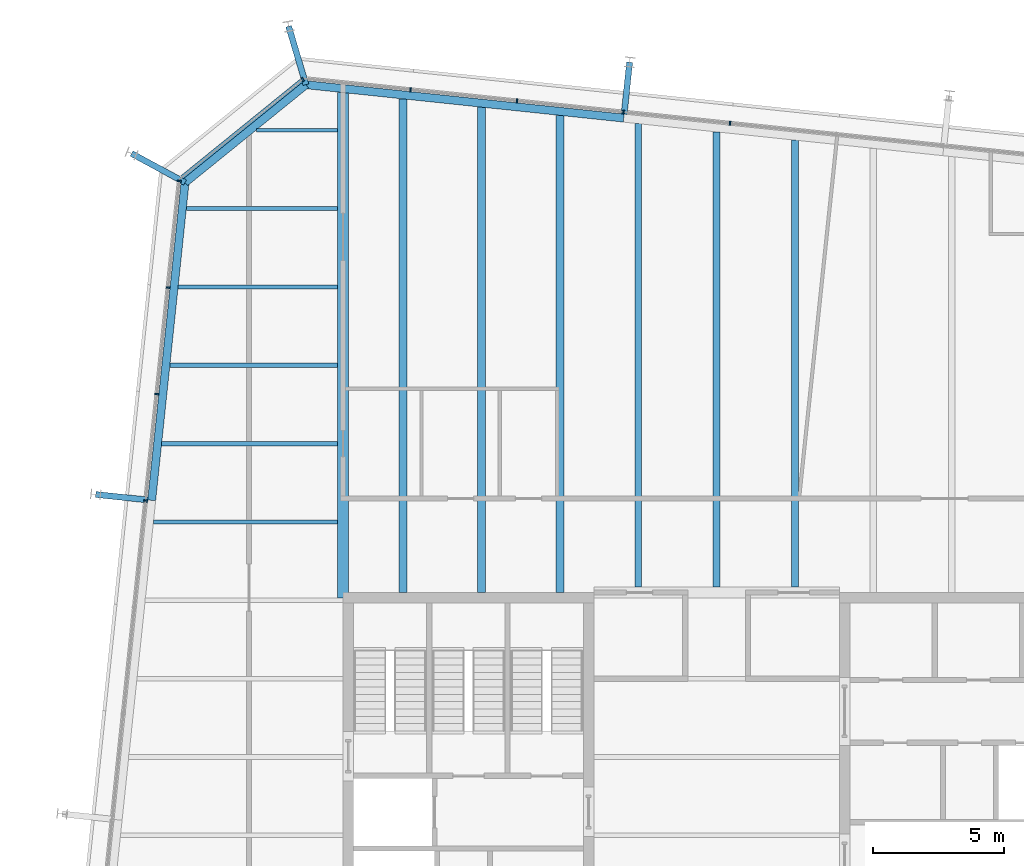
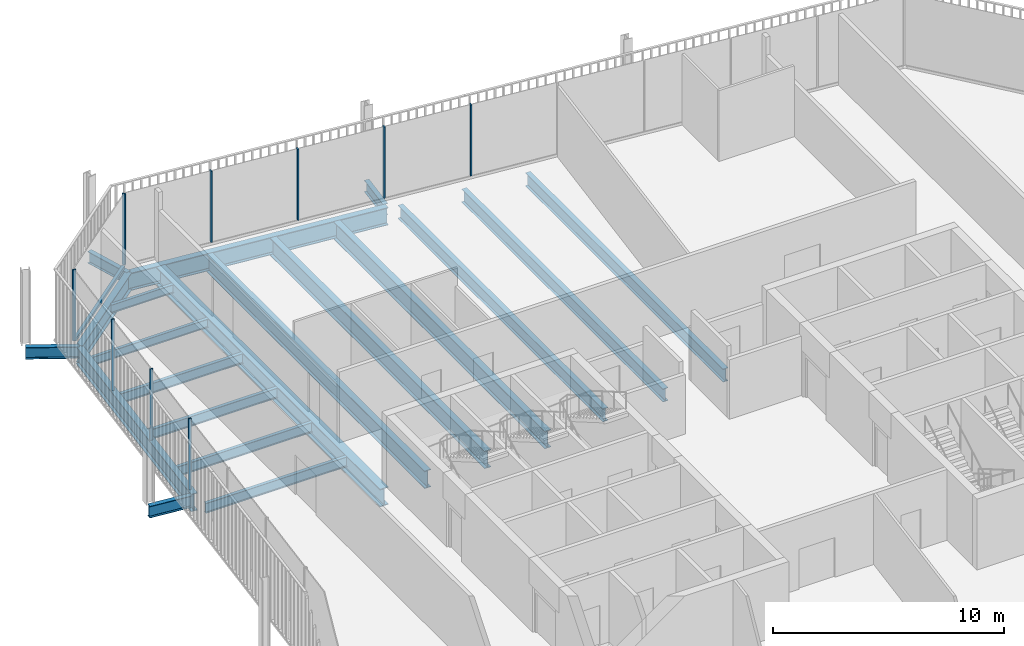
# One storey, part 12 of 20: 20 beams, 10 members, 3 elements without a shape of their own.
"""IFC4 building model written with IfcOpenShell, lengths in metres."""

from ifc_helpers import new_model, si_unit, direction, frame, origin, origin_2d, place, context, subcontext, project, spatial, rectangle, i_section, extrude, material, layer, layer_set, material_profile, profile_set, type_object, element, aggregate, save


model = new_model("IFC4")

# Units and contexts
model_context = context("Model", 3, precision=1e-05, world=origin(), true_north=direction((0.0, 1.0)))
body_context = subcontext(model_context, "Body", "Model", "MODEL_VIEW")
ifc_project = project(units=[si_unit("LENGTHUNIT", "METRE"), si_unit("AREAUNIT", "SQUARE_METRE"), si_unit("VOLUMEUNIT", "CUBIC_METRE"), si_unit("PLANEANGLEUNIT", "RADIAN"), si_unit("MASSUNIT", "GRAM", prefix="KILO")], contexts=[model_context])

# Site, building, storey
site_placement = place(None, origin())
site = spatial("IfcSite", under=ifc_project, at=site_placement, CompositionType="ELEMENT")
building_placement = place(site_placement, origin())
building = spatial("IfcBuilding", under=site, at=building_placement, Name="Millrace Tower", CompositionType="ELEMENT")
storey_placement = place(building_placement, frame((0.0, 0.0, 287.699951171875)))
storey = spatial("IfcBuildingStorey", under=building, at=storey_placement, Name="L66", CompositionType="ELEMENT", Elevation=287.699951171875)

# Curtain wall, members
ifc_material_1 = material(Name="Aluminium and glass", Category="aluminium")
ifc_layer = layer(ifc_material_1, 0.14990234375)
ifc_layer_set = layer_set([ifc_layer], Name="Aluminium and glass")
curtain_wall_type = type_object("IfcCurtainWallType", Name="CW-1 office vision curtain wall", PredefinedType="NOTDEFINED", material=ifc_layer_set)
placement = place(storey_placement, origin())
curtain_wall_1 = element("IfcCurtainWall", 1, at=placement, inside=storey, type_object=curtain_wall_type, Name="Curtain wall E-F06 L66", PredefinedType="NOTDEFINED")
ifc_material_2 = material(Name="Aluminium", Category="aluminium")
ifc_material_profile_1 = material_profile(ifc_material_2, rectangle(XDim=0.06494140625, YDim=0.14990234375, at=origin_2d()))
ifc_profile_set_1 = profile_set([ifc_material_profile_1], Name="Aluminium")
member_type_1 = type_object("IfcMemberType", Name="CW-1 office vision curtain wall mullion", PredefinedType="MULLION", material=ifc_profile_set_1)
member_1_placement = place(storey_placement, frame((0.514892578125, 27.267578125, 0.14013671875), z_axis=(0.0, 0.0, 1.0), x_axis=(-0.994521896217, 0.104528455196, 0.0)))
member_1 = element("IfcMember", 2, at=member_1_placement, type_object=member_type_1, Name="CW1 mullion E-F06.6", PredefinedType="MULLION", context=body_context, shape_type="SweptSolid", body=[
    extrude(rectangle(XDim=0.06494140625, YDim=0.14990234375, at=origin_2d()), origin(), (0.0, 0.0, 1.0), 3.760009765625),
])
member_2_placement = place(storey_placement, frame((-3.562744140625, 27.6962890625, 0.14013671875), z_axis=(0.0, 0.0, 1.0), x_axis=(-0.994521896217, 0.104528455196, 0.0)))
member_2 = element("IfcMember", 3, at=member_2_placement, type_object=member_type_1, Name="CW1 mullion E-F06.7", PredefinedType="MULLION", context=body_context, shape_type="SweptSolid", body=[
    extrude(rectangle(XDim=0.06494140625, YDim=0.14990234375, at=origin_2d()), origin(), (0.0, 0.0, 1.0), 3.760009765625),
])
member_3_placement = place(storey_placement, frame((-7.640380859375, 28.124755859375, 0.14013671875), z_axis=(0.0, 0.0, 1.0), x_axis=(-0.994521896217, 0.104528455196, 0.0)))
member_3 = element("IfcMember", 4, at=member_3_placement, type_object=member_type_1, Name="CW1 mullion E-F06.8", PredefinedType="MULLION", context=body_context, shape_type="SweptSolid", body=[
    extrude(rectangle(XDim=0.06494140625, YDim=0.14990234375, at=origin_2d()), origin(), (0.0, 0.0, 1.0), 3.760009765625),
])
member_4_placement = place(storey_placement, frame((-11.7177734375, 28.55322265625, 0.14013671875), z_axis=(0.0, 0.0, 1.0), x_axis=(-0.994521896217, 0.104528455196, 0.0)))
member_4 = element("IfcMember", 5, at=member_4_placement, type_object=member_type_1, Name="CW1 mullion E-F06.9", PredefinedType="MULLION", context=body_context, shape_type="SweptSolid", body=[
    extrude(rectangle(XDim=0.06494140625, YDim=0.14990234375, at=origin_2d()), origin(), (0.0, 0.0, 1.0), 3.760009765625),
])
aggregate(curtain_wall_1, [member_1, member_2, member_3, member_4])

# Curtain wall, member
curtain_wall_2 = element("IfcCurtainWall", 6, at=placement, inside=storey, type_object=curtain_wall_type, Name="Curtain wall E-F07 L66", PredefinedType="NOTDEFINED")
member_5_placement = place(storey_placement, frame((-15.84326171875, 28.941650390625, 0.14013671875), z_axis=(0.0, 0.0, 1.0), x_axis=(-0.777146052237, -0.629320278945, 0.0)))
member_5 = element("IfcMember", 7, at=member_5_placement, type_object=member_type_1, Name="CW1 mullion E-F07.1", PredefinedType="MULLION", context=body_context, shape_type="SweptSolid", body=[
    extrude(rectangle(XDim=0.06494140625, YDim=0.14990234375, at=origin_2d()), origin(), (0.0, 0.0, 1.0), 3.760009765625),
])

# Curtain wall, members
curtain_wall_3 = element("IfcCurtainWall", 8, at=placement, inside=storey, type_object=curtain_wall_type, Name="Curtain wall E-F08 L66", PredefinedType="NOTDEFINED")
member_6_placement = place(storey_placement, frame((-20.57470703125, 25.052490234375, 0.14013671875), z_axis=(0.0, 0.0, 1.0), x_axis=(-0.104528455196, -0.994521896217, 0.0)))
member_6 = element("IfcMember", 9, at=member_6_placement, type_object=member_type_1, Name="CW1 mullion E-F08.1", PredefinedType="MULLION", context=body_context, shape_type="SweptSolid", body=[
    extrude(rectangle(XDim=0.06494140625, YDim=0.14990234375, at=origin_2d()), origin(), (0.0, 0.0, 1.0), 3.760009765625),
])
member_7_placement = place(storey_placement, frame((-21.00341796875, 20.974853515625, 0.14013671875), z_axis=(0.0, 0.0, 1.0), x_axis=(-0.104528455196, -0.994521896217, 0.0)))
member_7 = element("IfcMember", 10, at=member_7_placement, type_object=member_type_1, Name="CW1 mullion E-F08.2", PredefinedType="MULLION", context=body_context, shape_type="SweptSolid", body=[
    extrude(rectangle(XDim=0.06494140625, YDim=0.14990234375, at=origin_2d()), origin(), (0.0, 0.0, 1.0), 3.760009765625),
])
member_8_placement = place(storey_placement, frame((-21.431884765625, 16.8974609375, 0.14013671875), z_axis=(0.0, 0.0, 1.0), x_axis=(-0.104528455196, -0.994521896217, 0.0)))
member_8 = element("IfcMember", 11, at=member_8_placement, type_object=member_type_1, Name="CW1 mullion E-F08.3", PredefinedType="MULLION", context=body_context, shape_type="SweptSolid", body=[
    extrude(rectangle(XDim=0.06494140625, YDim=0.14990234375, at=origin_2d()), origin(), (0.0, 0.0, 1.0), 3.760009765625),
])
member_9_placement = place(storey_placement, frame((-21.860595703125, 12.81982421875, 0.14013671875), z_axis=(0.0, 0.0, 1.0), x_axis=(-0.104528455196, -0.994521896217, 0.0)))
member_9 = element("IfcMember", 12, at=member_9_placement, type_object=member_type_1, Name="CW1 mullion E-F08.4", PredefinedType="MULLION", context=body_context, shape_type="SweptSolid", body=[
    extrude(rectangle(XDim=0.06494140625, YDim=0.14990234375, at=origin_2d()), origin(), (0.0, 0.0, 1.0), 3.760009765625),
])
aggregate(curtain_wall_3, [member_6, member_7, member_8, member_9])

# Member
ifc_material_3 = material(Name="Aluminium", Category="aluminium")
ifc_material_profile_2 = material_profile(ifc_material_3, rectangle(XDim=0.14990234375, YDim=0.139892578125, at=origin_2d()))
ifc_profile_set_2 = profile_set([ifc_material_profile_2], Name="Aluminium")
member_type_2 = type_object("IfcMemberType", Name="CW-1 office vision curtain wall transom", PredefinedType="USERDEFINED", material=ifc_profile_set_2)
member_10_placement = place(storey_placement, frame((-15.895751953125, 28.899169921875, 0.070068359375), z_axis=(-0.777165591695, -0.629296148951, 0.0), x_axis=(0.629296148951, -0.777165591695, 0.0)))
member_10 = element("IfcMember", 13, at=member_10_placement, type_object=member_type_2, Name="CW1 transom E-F07.1", ObjectType="TRANSOM", PredefinedType="USERDEFINED", context=body_context, shape_type="SweptSolid", body=[
    extrude(rectangle(XDim=0.14990234375, YDim=0.139892578125, at=origin_2d()), origin(), (0.0, 0.0, 1.0), 5.881103515625),
])

aggregate(curtain_wall_2, [member_5, member_10])

# Beams
ifc_material_4 = material(Name="Steel ASTM A992 Grade 50", Category="steel")
ifc_material_profile_3 = material_profile(ifc_material_4, i_section(OverallWidth=0.15234375, OverallDepth=0.449462890625, WebThickness=0.007568359375, FlangeThickness=0.0107421875, FilletRadius=0.01025390625, at=origin_2d()))
ifc_profile_set_3 = profile_set([ifc_material_profile_3], Name="Steel ASTM A992 Grade 50")
beam_type_1 = type_object("IfcBeamType", Name="Floor beam W18x35", PredefinedType="JOIST", material=ifc_profile_set_3)
beam_1_placement = place(storey_placement, frame((-20.301025390625, 24.0, -0.384765625), z_axis=(1.0, 0.0, 0.0), x_axis=(0.0, 1.0, 0.0)))
element("IfcBeam", 14, at=beam_1_placement, inside=storey, type_object=beam_type_1, Name="BM-E-L66-S1-S033", PredefinedType="JOIST", context=body_context, shape_type="SweptSolid", body=[
    extrude(i_section(OverallWidth=0.15234375, OverallDepth=0.449462890625, WebThickness=0.007568359375, FlangeThickness=0.0107421875, FilletRadius=0.01025390625, at=origin_2d()), origin(), (0.0, 0.0, 1.0), 5.79150390625),
])
beam_2_placement = place(storey_placement, frame((-17.609619140625, 27.0, -0.384765625), z_axis=(1.0, 0.0, 0.0), x_axis=(0.0, 1.0, 0.0)))
element("IfcBeam", 15, at=beam_2_placement, inside=storey, type_object=beam_type_1, Name="BM-E-L66-S1-S035", PredefinedType="JOIST", context=body_context, shape_type="SweptSolid", body=[
    extrude(i_section(OverallWidth=0.15234375, OverallDepth=0.449462890625, WebThickness=0.007568359375, FlangeThickness=0.0107421875, FilletRadius=0.01025390625, at=origin_2d()), origin(), (0.0, 0.0, 1.0), 3.10009765625),
])
ifc_material_5 = material(Name="Steel ASTM A992 Grade 50", Category="steel")
ifc_material_profile_4 = material_profile(ifc_material_5, i_section(OverallWidth=0.1650390625, OverallDepth=0.52587890625, WebThickness=0.0087890625, FlangeThickness=0.011474609375, FilletRadius=0.0126953125, at=origin_2d()))
ifc_profile_set_4 = profile_set([ifc_material_profile_4], Name="Steel ASTM A992 Grade 50")
beam_type_2 = type_object("IfcBeamType", Name="Floor beam W21x44", PredefinedType="JOIST", material=ifc_profile_set_4)
beam_3_placement = place(storey_placement, frame((-21.562255859375, 12.0, -0.4228515625), z_axis=(1.0, 0.0, 0.0), x_axis=(0.0, 1.0, 0.0)))
element("IfcBeam", 16, at=beam_3_placement, inside=storey, type_object=beam_type_2, Name="BM-E-L66-S1-S025", PredefinedType="JOIST", context=body_context, shape_type="SweptSolid", body=[
    extrude(i_section(OverallWidth=0.1650390625, OverallDepth=0.52587890625, WebThickness=0.0087890625, FlangeThickness=0.011474609375, FilletRadius=0.0126953125, at=origin_2d()), origin(), (0.0, 0.0, 1.0), 7.052734375),
])
beam_4_placement = place(storey_placement, frame((-21.246826171875, 15.0, -0.4228515625), z_axis=(1.0, 0.0, 0.0), x_axis=(0.0, 1.0, 0.0)))
element("IfcBeam", 17, at=beam_4_placement, inside=storey, type_object=beam_type_2, Name="BM-E-L66-S1-S027", PredefinedType="JOIST", context=body_context, shape_type="SweptSolid", body=[
    extrude(i_section(OverallWidth=0.1650390625, OverallDepth=0.52587890625, WebThickness=0.0087890625, FlangeThickness=0.011474609375, FilletRadius=0.0126953125, at=origin_2d()), origin(), (0.0, 0.0, 1.0), 6.7373046875),
])
beam_5_placement = place(storey_placement, frame((-20.931640625, 18.0, -0.4228515625), z_axis=(1.0, 0.0, 0.0), x_axis=(0.0, 1.0, 0.0)))
element("IfcBeam", 18, at=beam_5_placement, inside=storey, type_object=beam_type_2, Name="BM-E-L66-S1-S029", PredefinedType="JOIST", context=body_context, shape_type="SweptSolid", body=[
    extrude(i_section(OverallWidth=0.1650390625, OverallDepth=0.52587890625, WebThickness=0.0087890625, FlangeThickness=0.011474609375, FilletRadius=0.0126953125, at=origin_2d()), origin(), (0.0, 0.0, 1.0), 6.422119140625),
])
beam_6_placement = place(storey_placement, frame((-20.6162109375, 21.0, -0.4228515625), z_axis=(1.0, 0.0, 0.0), x_axis=(0.0, 1.0, 0.0)))
element("IfcBeam", 19, at=beam_6_placement, inside=storey, type_object=beam_type_2, Name="BM-E-L66-S1-S031", PredefinedType="JOIST", context=body_context, shape_type="SweptSolid", body=[
    extrude(i_section(OverallWidth=0.1650390625, OverallDepth=0.52587890625, WebThickness=0.0087890625, FlangeThickness=0.011474609375, FilletRadius=0.0126953125, at=origin_2d()), origin(), (0.0, 0.0, 1.0), 6.106689453125),
])
ifc_material_6 = material(Name="Steel ASTM A992 Grade 50", Category="steel")
ifc_material_profile_5 = material_profile(ifc_material_6, i_section(OverallWidth=0.256591796875, OverallDepth=0.693359375, WebThickness=0.014404296875, FlangeThickness=0.023681640625, FilletRadius=0.01513671875, at=origin_2d()))
ifc_profile_set_5 = profile_set([ifc_material_profile_5], Name="Steel ASTM A992 Grade 50")
beam_type_3 = type_object("IfcBeamType", Name="Floor beam W27x114", PredefinedType="JOIST", material=ifc_profile_set_5)
beam_7_placement = place(storey_placement, frame((-3.0, 9.509521484375, -0.506591796875), z_axis=(0.0, 1.0, 0.0), x_axis=(-1.0, 0.0, 0.0)))
element("IfcBeam", 20, at=beam_7_placement, inside=storey, type_object=beam_type_3, Name="BM-E-L66-S1-S042", PredefinedType="JOIST", context=body_context, shape_type="SweptSolid", body=[
    extrude(i_section(OverallWidth=0.256591796875, OverallDepth=0.693359375, WebThickness=0.014404296875, FlangeThickness=0.023681640625, FilletRadius=0.01513671875, at=origin_2d()), origin(), (0.0, 0.0, 1.0), 17.7431640625),
])
beam_8_placement = place(storey_placement, frame((0.0, 9.509521484375, -0.506591796875), z_axis=(0.0, 1.0, 0.0), x_axis=(-1.0, 0.0, 0.0)))
element("IfcBeam", 21, at=beam_8_placement, inside=storey, type_object=beam_type_3, Name="BM-E-L66-S1-S044", PredefinedType="JOIST", context=body_context, shape_type="SweptSolid", body=[
    extrude(i_section(OverallWidth=0.256591796875, OverallDepth=0.693359375, WebThickness=0.014404296875, FlangeThickness=0.023681640625, FilletRadius=0.01513671875, at=origin_2d()), origin(), (0.0, 0.0, 1.0), 17.427734375),
])
beam_9_placement = place(storey_placement, frame((3.0, 9.509521484375, -0.506591796875), z_axis=(0.0, 1.0, 0.0), x_axis=(-1.0, 0.0, 0.0)))
element("IfcBeam", 22, at=beam_9_placement, inside=storey, type_object=beam_type_3, Name="BM-E-L66-S1-S046", PredefinedType="JOIST", context=body_context, shape_type="SweptSolid", body=[
    extrude(i_section(OverallWidth=0.256591796875, OverallDepth=0.693359375, WebThickness=0.014404296875, FlangeThickness=0.023681640625, FilletRadius=0.01513671875, at=origin_2d()), origin(), (0.0, 0.0, 1.0), 17.112548828125),
])
ifc_material_7 = material(Name="Steel ASTM A992 Grade 50", Category="steel")
ifc_material_profile_6 = material_profile(ifc_material_7, i_section(OverallWidth=0.307373046875, OverallDepth=0.927001953125, WebThickness=0.01953125, FlangeThickness=0.031982421875, FilletRadius=0.01904296875, at=origin_2d()))
ifc_profile_set_6 = profile_set([ifc_material_profile_6], Name="Steel ASTM A992 Grade 50")
beam_type_4 = type_object("IfcBeamType", Name="Floor beam W36x194", PredefinedType="JOIST", material=ifc_profile_set_6)
beam_10_placement = place(storey_placement, frame((-12.0, 9.300048828125, -0.62353515625), z_axis=(0.0, 1.0, 0.0), x_axis=(-1.0, 0.0, 0.0)))
element("IfcBeam", 23, at=beam_10_placement, inside=storey, type_object=beam_type_4, Name="BM-E-L66-S1-S036", PredefinedType="JOIST", context=body_context, shape_type="SweptSolid", body=[
    extrude(i_section(OverallWidth=0.307373046875, OverallDepth=0.927001953125, WebThickness=0.01953125, FlangeThickness=0.031982421875, FilletRadius=0.01904296875, at=origin_2d()), origin(), (0.0, 0.0, 1.0), 18.8984375),
])
beam_11_placement = place(storey_placement, frame((-9.0, 9.300048828125, -0.62353515625), z_axis=(0.0, 1.0, 0.0), x_axis=(-1.0, 0.0, 0.0)))
element("IfcBeam", 24, at=beam_11_placement, inside=storey, type_object=beam_type_4, Name="BM-E-L66-S1-S038", PredefinedType="JOIST", context=body_context, shape_type="SweptSolid", body=[
    extrude(i_section(OverallWidth=0.307373046875, OverallDepth=0.927001953125, WebThickness=0.01953125, FlangeThickness=0.031982421875, FilletRadius=0.01904296875, at=origin_2d()), origin(), (0.0, 0.0, 1.0), 18.583251953125),
])
beam_12_placement = place(storey_placement, frame((-6.0, 9.300048828125, -0.62353515625), z_axis=(0.0, 1.0, 0.0), x_axis=(-1.0, 0.0, 0.0)))
element("IfcBeam", 25, at=beam_12_placement, inside=storey, type_object=beam_type_4, Name="BM-E-L66-S1-S040", PredefinedType="JOIST", context=body_context, shape_type="SweptSolid", body=[
    extrude(i_section(OverallWidth=0.307373046875, OverallDepth=0.927001953125, WebThickness=0.01953125, FlangeThickness=0.031982421875, FilletRadius=0.01904296875, at=origin_2d()), origin(), (0.0, 0.0, 1.0), 18.267822265625),
])
ifc_material_8 = material(Name="Steel ASTM A992 Grade 50", Category="steel")
ifc_material_profile_7 = material_profile(ifc_material_8, i_section(OverallWidth=0.424072265625, OverallDepth=0.947509765625, WebThickness=0.02392578125, FlangeThickness=0.042724609375, FilletRadius=0.024169921875, at=origin_2d()))
ifc_profile_set_7 = profile_set([ifc_material_profile_7], Name="Steel ASTM A992 Grade 50")
beam_type_5 = type_object("IfcBeamType", Name="Girder medium span W36x302", PredefinedType="BEAM", material=ifc_profile_set_7)
beam_13_placement = place(storey_placement, frame((-14.300048828125, 9.083984375, -0.633544921875), z_axis=(0.0, 1.0, 0.0), x_axis=(-1.0, 0.0, 0.0)))
element("IfcBeam", 26, at=beam_13_placement, inside=storey, type_object=beam_type_5, Name="BM-E-L66-S1-G054", PredefinedType="BEAM", context=body_context, shape_type="SweptSolid", body=[
    extrude(i_section(OverallWidth=0.424072265625, OverallDepth=0.947509765625, WebThickness=0.02392578125, FlangeThickness=0.042724609375, FilletRadius=0.024169921875, at=origin_2d()), origin(), (0.0, 0.0, 1.0), 19.356201171875),
])
ifc_material_9 = material(Name="Steel ASTM A992 Grade 50", Category="steel")
ifc_material_profile_8 = material_profile(ifc_material_9, i_section(OverallWidth=0.23046875, OverallDepth=0.6171875, WebThickness=0.01318359375, FlangeThickness=0.022216796875, FilletRadius=0.012939453125, at=origin_2d()))
ifc_profile_set_8 = profile_set([ifc_material_profile_8], Name="Steel ASTM A992 Grade 50")
beam_type_6 = type_object("IfcBeamType", Name="Link beam W24x94", PredefinedType="BEAM", material=ifc_profile_set_8)
beam_14_placement = place(storey_placement, frame((-21.782470703125, 12.84423828125, -0.468505859375), z_axis=(-0.994512808172, 0.104614886044, 0.0), x_axis=(-0.104614886044, -0.994512808172, 0.0)))
element("IfcBeam", 27, at=beam_14_placement, inside=storey, type_object=beam_type_6, Name="LNK-E-L66-S1-03", PredefinedType="BEAM", context=body_context, shape_type="SweptSolid", body=[
    extrude(i_section(OverallWidth=0.23046875, OverallDepth=0.6171875, WebThickness=0.01318359375, FlangeThickness=0.022216796875, FilletRadius=0.012939453125, at=origin_2d()), origin(), (0.0, 0.0, 1.0), 2.0),
])
for number, where, z_axis, x_axis, name in (
    (28, (-20.3505859375, 24.99755859375, -0.468505859375), (-0.87881453358, 0.477163510307, 0.0), (-0.477163510307, -0.87881453358, 0.0), "LNK-E-L66-S1-04"),
    (29, (-15.7236328125, 28.744384765625, -0.468505859375), (-0.284031275065, 0.958815015936, 0.0), (-0.958815015936, -0.284031275065, 0.0), "LNK-E-L66-S1-05"),
):
    element("IfcBeam", number, at=place(storey_placement, frame(where, z_axis=z_axis, x_axis=x_axis)), inside=storey, type_object=beam_type_6, Name=name, PredefinedType="BEAM", context=body_context, shape_type="SweptSolid", body=[
        extrude(i_section(OverallWidth=0.23046875, OverallDepth=0.6171875, WebThickness=0.01318359375, FlangeThickness=0.022216796875, FilletRadius=0.012939453125, at=origin_2d()), origin(), (0.0, 0.0, 1.0), 2.3310546875),
    ])
beam_15_placement = place(storey_placement, frame((-3.538330078125, 27.6181640625, -0.468505859375), z_axis=(0.104494148666, 0.99452550138, 0.0), x_axis=(-0.99452550138, 0.104494148666, 0.0)))
element("IfcBeam", 30, at=beam_15_placement, inside=storey, type_object=beam_type_6, Name="LNK-E-L66-S1-06", PredefinedType="BEAM", context=body_context, shape_type="SweptSolid", body=[
    extrude(i_section(OverallWidth=0.23046875, OverallDepth=0.6171875, WebThickness=0.01318359375, FlangeThickness=0.022216796875, FilletRadius=0.012939453125, at=origin_2d()), origin(), (0.0, 0.0, 1.0), 2.0),
])
ifc_material_10 = material(Name="Steel ASTM A992 Grade 50", Category="steel")
ifc_material_profile_9 = material_profile(ifc_material_10, i_section(OverallWidth=0.307373046875, OverallDepth=0.927001953125, WebThickness=0.01953125, FlangeThickness=0.031982421875, FilletRadius=0.01904296875, at=origin_2d()))
ifc_profile_set_9 = profile_set([ifc_material_profile_9], Name="Steel ASTM A992 Grade 50")
beam_type_7 = type_object("IfcBeamType", Name="Ring beam medium span W36x194", PredefinedType="SPANDREL", material=ifc_profile_set_9)
for number, where, z_axis, x_axis, name in (
    (31, (-21.629638671875, 12.828369140625, -0.62353515625), (0.104530030035, 0.994521730693, 0.0), (-0.994521730693, 0.104530030035, 0.0), "RNG-E-L66-S1-03"),
    (32, (-15.7236328125, 28.744384765625, -0.62353515625), (0.994521730693, -0.104530030035, 0.0), (0.104530030035, 0.994521730693, 0.0), "RNG-E-L66-S1-05"),
):
    element("IfcBeam", number, at=place(storey_placement, frame(where, z_axis=z_axis, x_axis=x_axis)), inside=storey, type_object=beam_type_7, Name=name, PredefinedType="SPANDREL", context=body_context, shape_type="SweptSolid", body=[
        extrude(i_section(OverallWidth=0.307373046875, OverallDepth=0.927001953125, WebThickness=0.01953125, FlangeThickness=0.031982421875, FilletRadius=0.01904296875, at=origin_2d()), origin(), (0.0, 0.0, 1.0), 12.236328125),
    ])
ifc_material_11 = material(Name="Steel ASTM A992 Grade 50", Category="steel")
ifc_material_profile_10 = material_profile(ifc_material_11, i_section(OverallWidth=0.307373046875, OverallDepth=0.927001953125, WebThickness=0.01953125, FlangeThickness=0.031982421875, FilletRadius=0.01904296875, at=origin_2d()))
ifc_profile_set_10 = profile_set([ifc_material_profile_10], Name="Steel ASTM A992 Grade 50")
beam_type_8 = type_object("IfcBeamType", Name="Ring beam short span W36x194", PredefinedType="SPANDREL", material=ifc_profile_set_10)
beam_16_placement = place(storey_placement, frame((-20.3505859375, 24.99755859375, -0.62353515625), z_axis=(0.777146502883, 0.629319722443, 0.0), x_axis=(-0.629319722443, 0.777146502883, 0.0)))
element("IfcBeam", 33, at=beam_16_placement, inside=storey, type_object=beam_type_8, Name="RNG-E-L66-S1-04", PredefinedType="SPANDREL", context=body_context, shape_type="SweptSolid", body=[
    extrude(i_section(OverallWidth=0.307373046875, OverallDepth=0.927001953125, WebThickness=0.01953125, FlangeThickness=0.031982421875, FilletRadius=0.01904296875, at=origin_2d()), origin(), (0.0, 0.0, 1.0), 5.953857421875),
])

save(model, "model.ifc")
